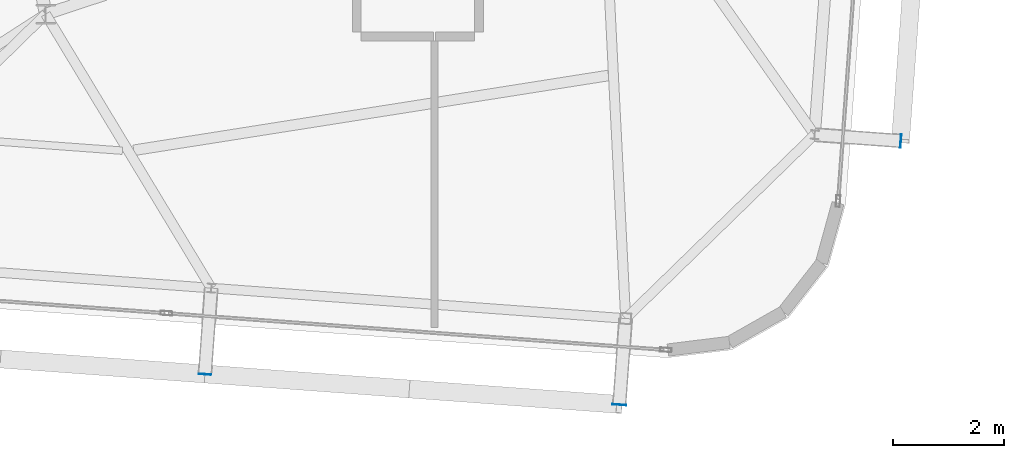
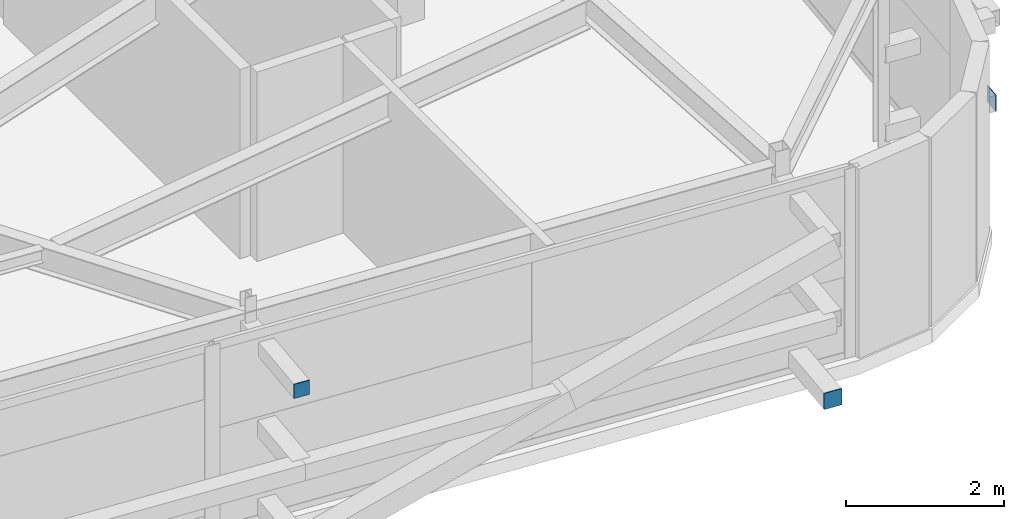
# One storey, part 28 of 36: 3 plates.
"""IFC4 building model written with IfcOpenShell, lengths in metres."""

from ifc_helpers import new_model, si_unit, direction, frame, origin, origin_2d, place, context, subcontext, project, spatial, rectangle, extrude, source, transform, mapped, material, layer, layer_set, type_object, element, save


model = new_model("IFC4")

# Units and contexts
model_context = context("Model", 3, precision=1e-05, world=origin(), true_north=direction((0.0, 1.0)))
body_context = subcontext(model_context, "Body", "Model", "MODEL_VIEW")
ifc_project = project(units=[si_unit("LENGTHUNIT", "METRE"), si_unit("AREAUNIT", "SQUARE_METRE"), si_unit("VOLUMEUNIT", "CUBIC_METRE"), si_unit("PLANEANGLEUNIT", "RADIAN"), si_unit("MASSUNIT", "GRAM", prefix="KILO")], contexts=[model_context])

# Site, building, storey
site_placement = place(None, origin())
site = spatial("IfcSite", under=ifc_project, at=site_placement, CompositionType="ELEMENT")
building_placement = place(site_placement, origin())
building = spatial("IfcBuilding", under=site, at=building_placement, Name="Taldren Reach Tower", CompositionType="ELEMENT")
storey_placement = place(building_placement, frame((0.0, 0.0, 227.14990234375)))
storey = spatial("IfcBuildingStorey", under=building, at=storey_placement, Name="L69", CompositionType="ELEMENT", Elevation=227.14990234375)

# Plates
ifc_material_1 = material(Name="Steel Gr 350 (C350L0)", Category="steel")
ifc_layer_1 = layer(ifc_material_1, 0.011962890625)
ifc_layer_set_1 = layer_set([ifc_layer_1], Name="Steel Gr 350 (C350L0)")
plate_type_1 = type_object("IfcPlateType", Name="PL-CAP-250", PredefinedType="SHEET", material=ifc_layer_set_1)
shared_shape_1 = source(origin(), body_context, "Body", "SweptSolid", [
    extrude(rectangle(XDim=0.25, YDim=0.011962890625, at=origin_2d()), origin(), (0.0, 0.0, 1.0), 0.25),
])
plate_1_placement = place(storey_placement, frame((52.326171875, 2.169189453125, 0.09521484375), z_axis=(0.0, 0.0, 1.0), x_axis=(0.997314477224, -0.073238197128, 0.0)))
element("IfcPlate", 1, at=plate_1_placement, inside=storey, type_object=plate_type_1, Name="Tie strut end cap plate B5-S6 L69", PredefinedType="SHEET", context=body_context, shape_type="MappedRepresentation", body=[
    mapped(shared_shape_1, transform((0.0, 0.0, 0.0), scale=1.0)),
])
shared_shape_2 = source(origin(), body_context, "Body", "SweptSolid", [
    extrude(rectangle(XDim=0.011962890625, YDim=0.25, at=origin_2d()), origin(), (0.0, 0.0, 1.0), 0.25),
])
plate_2_placement = place(storey_placement, frame((57.3935546875, 6.9169921875, 0.09521484375), z_axis=(0.0, 0.0, 1.0), x_axis=(0.997314477224, -0.073238197128, 0.0)))
element("IfcPlate", 2, at=plate_2_placement, inside=storey, type_object=plate_type_1, Name="Tie strut end cap plate B5-E1 L69", PredefinedType="SHEET", context=body_context, shape_type="MappedRepresentation", body=[
    mapped(shared_shape_2, transform((0.0, 0.0, 0.0), scale=1.0)),
])
ifc_material_2 = material(Name="Steel Gr 450 (C450L0)", Category="steel")
ifc_layer_2 = layer(ifc_material_2, 0.011962890625)
ifc_layer_set_2 = layer_set([ifc_layer_2], Name="Steel Gr 450 (C450L0)")
plate_type_2 = type_object("IfcPlateType", Name="PL-CAP-220", PredefinedType="SHEET", material=ifc_layer_set_2)
shared_shape_3 = source(origin(), body_context, "Body", "SweptSolid", [
    extrude(rectangle(XDim=0.219970703125, YDim=0.011962890625, at=origin_2d()), origin(), (0.0, 0.0, 1.0), 0.219970703125),
])
plate_3_placement = place(storey_placement, frame((44.866455078125, 2.717041015625, 2.5400390625), z_axis=(0.0, 0.0, 1.0), x_axis=(0.997314477224, -0.073238197128, 0.0)))
element("IfcPlate", 3, at=plate_3_placement, inside=storey, type_object=plate_type_2, Name="Tie strut end cap plate B5-S5 L69", PredefinedType="SHEET", context=body_context, shape_type="MappedRepresentation", body=[
    mapped(shared_shape_3, transform((0.0, 0.0, 0.0), scale=1.0)),
])

save(model, "model.ifc")
